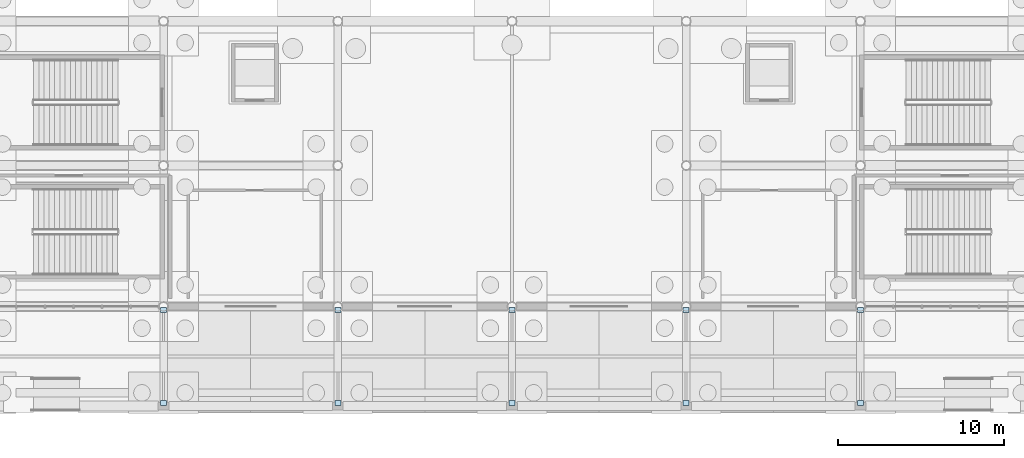
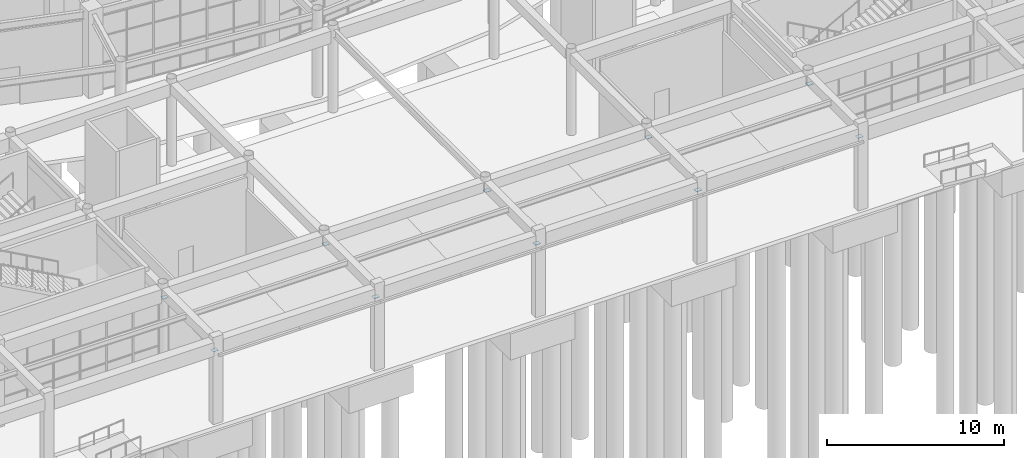
# One storey, part 78 of 121: 10 plates.
"""IFC4 building model written with IfcOpenShell, lengths in metres."""

from ifc_helpers import new_model, si_unit, direction, frame, origin, origin_2d, place, context, subcontext, project, spatial, rectangle, extrude, material, layer, layer_set, type_object, element, save


model = new_model("IFC4")

# Units and contexts
model_context = context("Model", 3, precision=1e-05, world=origin(), true_north=direction((0.0, 1.0)))
body_context = subcontext(model_context, "Body", "Model", "MODEL_VIEW")
ifc_project = project(units=[si_unit("LENGTHUNIT", "METRE"), si_unit("AREAUNIT", "SQUARE_METRE"), si_unit("VOLUMEUNIT", "CUBIC_METRE"), si_unit("PLANEANGLEUNIT", "RADIAN"), si_unit("MASSUNIT", "GRAM", prefix="KILO")], contexts=[model_context])

# Site, building, storey
site_placement = place(None, origin())
site = spatial("IfcSite", under=ifc_project, at=site_placement, CompositionType="ELEMENT")
building_placement = place(site_placement, origin())
building = spatial("IfcBuilding", under=site, at=building_placement, Name="Cuetzalor Civic Arena", CompositionType="ELEMENT")
storey_placement = place(building_placement, origin())
storey = spatial("IfcBuildingStorey", under=building, at=storey_placement, Name="L00", CompositionType="ELEMENT", Elevation=0.0)

# Plates
ifc_material = material(Name="Steel S355", Category="steel")
ifc_layer = layer(ifc_material, 0.01611328125)
ifc_layer_set = layer_set([ifc_layer], Name="Steel S355")
plate_type = type_object("IfcPlateType", Name="TubeEndCapPlate_CP02", PredefinedType="SHEET", material=ifc_layer_set)
for number, where, z_axis, x_axis, name in (
    (1, (-21.0, -65.699951171875, 5.011962890625), (0.0, 0.0, 1.0), (1.0, 0.0, 0.0), "Canopy Tie End Cap Plate X-21-1"),
    (2, (-21.0, -71.300048828125, 4.77197265625), (0.0, 0.0, 1.0), (1.0, 0.0, 0.0), "Canopy Tie End Cap Plate X-21-2"),
    (3, (-10.5, -65.699951171875, 5.011962890625), (0.0, 0.0, 1.0), (1.0, 0.0, 0.0), "Canopy Tie End Cap Plate X-10-1"),
    (4, (-10.5, -71.300048828125, 4.77197265625), (0.0, 0.0, 1.0), (1.0, 0.0, 0.0), "Canopy Tie End Cap Plate X-10-2"),
    (5, (0.0, -65.699951171875, 5.011962890625), (0.0, 0.0, 1.0), (1.0, 0.0, 0.0), "Canopy Tie End Cap Plate X0-1"),
    (6, (0.0, -71.300048828125, 4.77197265625), (0.0, 0.0, 1.0), (1.0, 0.0, 0.0), "Canopy Tie End Cap Plate X0-2"),
    (7, (10.5, -65.699951171875, 5.011962890625), (0.0, 0.0, 1.0), (1.0, 0.0, 0.0), "Canopy Tie End Cap Plate X10-1"),
    (8, (10.5, -71.300048828125, 4.77197265625), (0.0, 0.0, 1.0), (1.0, 0.0, 0.0), "Canopy Tie End Cap Plate X10-2"),
    (9, (21.0, -65.699951171875, 5.011962890625), (0.0, 0.0, 1.0), (1.0, 0.0, 0.0), "Canopy Tie End Cap Plate X21-1"),
    (10, (21.0, -71.300048828125, 4.77197265625), (0.0, 0.0, 1.0), (1.0, 0.0, 0.0), "Canopy Tie End Cap Plate X21-2"),
):
    element("IfcPlate", number, at=place(storey_placement, frame(where, z_axis=z_axis, x_axis=x_axis)), inside=storey, type_object=plate_type, Name=name, PredefinedType="SHEET", context=body_context, shape_type="SweptSolid", body=[
        extrude(rectangle(XDim=0.360107421875, YDim=0.300048828125, at=origin_2d()), origin(), (0.0, 0.0, 1.0), 0.01611328125),
    ])

save(model, "model.ifc")
